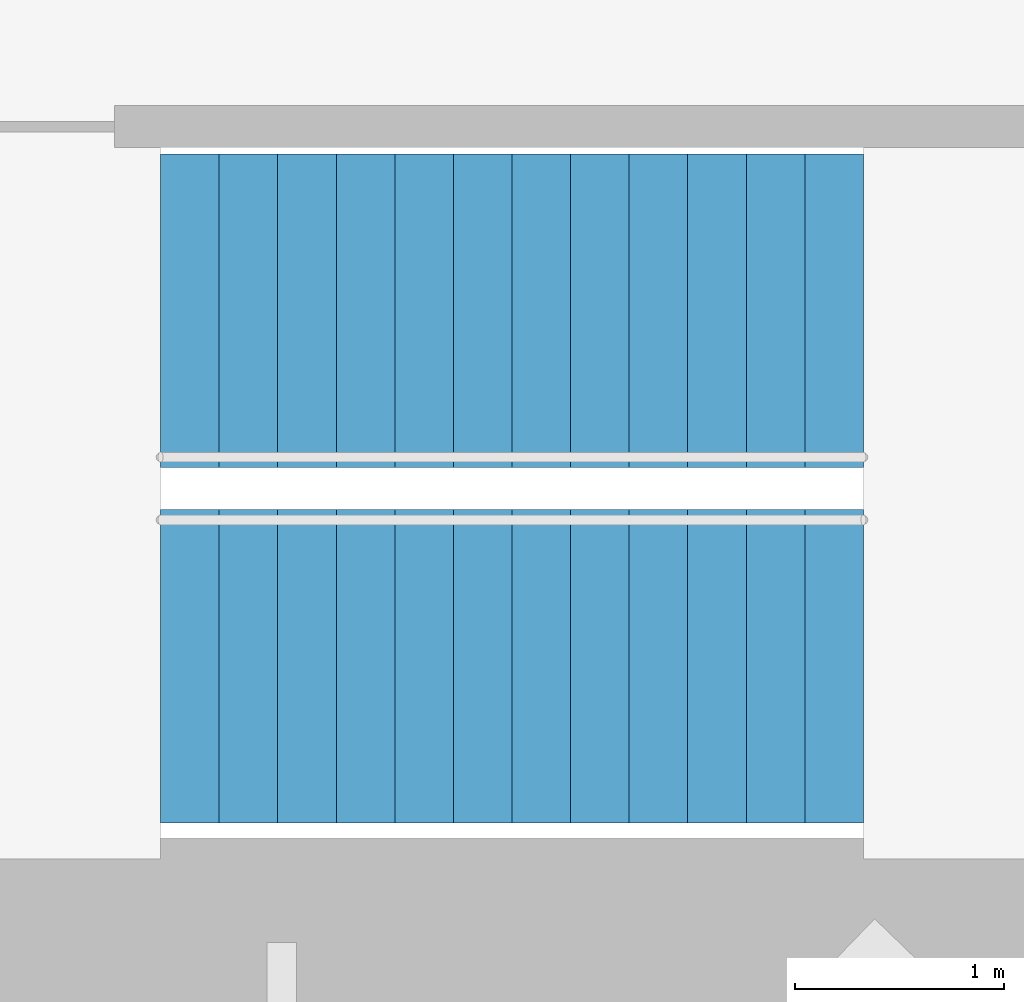
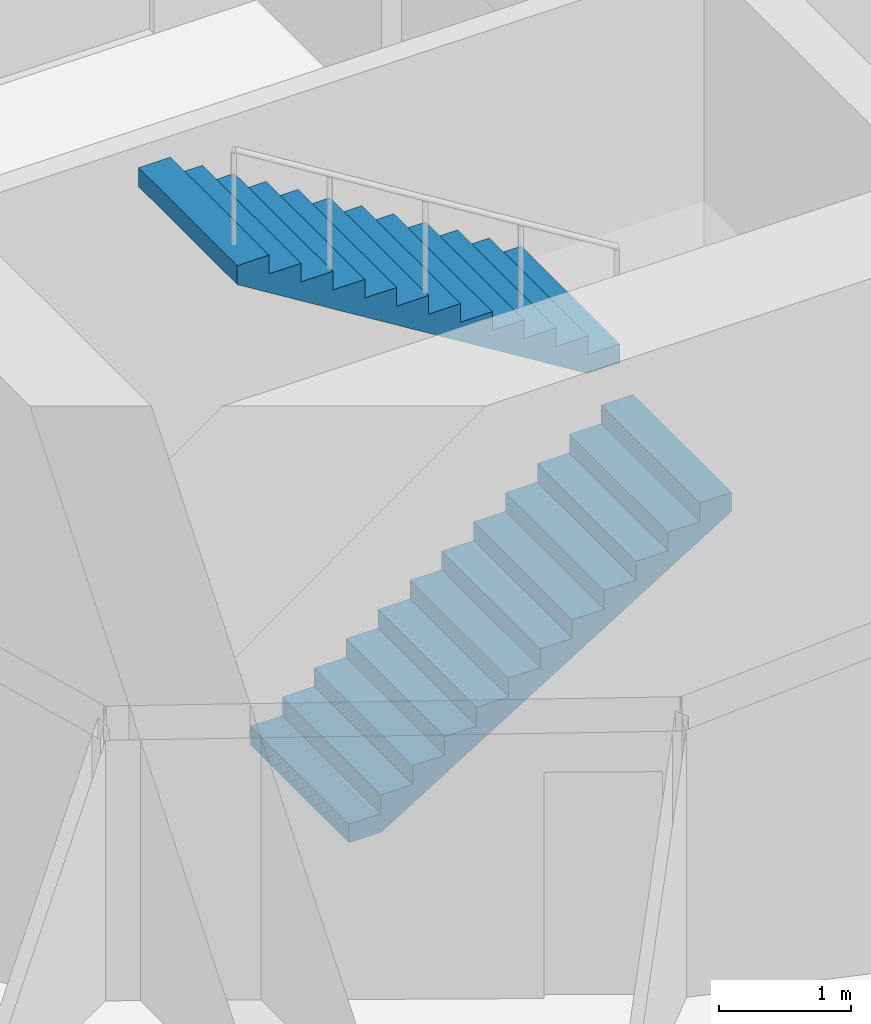
# One storey, part 14 of 17: 2 stair flights, 1 element without a shape of its own.
"""IFC4 building model written with IfcOpenShell, lengths in metres."""

from ifc_helpers import new_model, si_unit, direction, frame, origin, place, context, subcontext, project, spatial, triangles, material, type_object, element, aggregate, save


model = new_model("IFC4")

# Units and contexts
model_context = context("Model", 3, precision=1e-05, world=origin(), true_north=direction((0.0, 1.0)))
body_context = subcontext(model_context, "Body", "Model", "MODEL_VIEW")
ifc_project = project(units=[si_unit("LENGTHUNIT", "METRE"), si_unit("AREAUNIT", "SQUARE_METRE"), si_unit("VOLUMEUNIT", "CUBIC_METRE"), si_unit("PLANEANGLEUNIT", "RADIAN"), si_unit("MASSUNIT", "GRAM", prefix="KILO")], contexts=[model_context])

# Site, building, storey
site_placement = place(None, origin())
site = spatial("IfcSite", under=ifc_project, at=site_placement, CompositionType="ELEMENT")
building_placement = place(site_placement, origin())
building = spatial("IfcBuilding", under=site, at=building_placement, Name="Lantaw Convention Tower", CompositionType="ELEMENT")
storey_placement = place(building_placement, frame((0.0, 0.0, 270.39990234375)))
storey = spatial("IfcBuildingStorey", under=building, at=storey_placement, Name="L63", CompositionType="ELEMENT", Elevation=270.39990234375)

# Stair, stair flights
ifc_material = material(Name="Concrete C35/45", Category="concrete")
stair_type = type_object("IfcStairType", Name="Exit stair 1500 riser 173.08 in 2 flights", PredefinedType="HALF_TURN_STAIR", material=ifc_material)
stair_placement = place(storey_placement, origin())
stair = element("IfcStair", 1, at=stair_placement, inside=storey, type_object=stair_type, Name="Exit stair S1 L63", PredefinedType="HALF_TURN_STAIR")
stair_flight_type = type_object("IfcStairFlightType", Name="Stair flight 1500 riser 173.08", PredefinedType="STRAIGHT", material=ifc_material)
stair_flight_1_placement = place(storey_placement, frame((-10.580078125, -5.97998046875, 0.0), z_axis=(0.0, 0.0, 1.0), x_axis=(1.0, 0.0, 0.0)))
stair_flight_1 = element("IfcStairFlight", 2, at=stair_flight_1_placement, type_object=stair_flight_type, Name="S1 flight 1", NumberOfRisers=13, NumberOfTreads=12, PredefinedType="STRAIGHT", RiserHeight=0.173076923, TreadLength=0.28, context=body_context, shape_type="Tessellation", body=[
    triangles([(0.0, 0.75, 0.0), (0.0, 0.75, 0.173076923), (0.28, 0.75, 0.0), (0.28, 0.75, 0.173076923), (0.28, 0.75, 0.346153846), (0.28509853184261624, 0.75, 0.0), (0.28509853184261624, 0.75, 0.346153846), (0.56, 0.75, 0.16992535798879452), (0.56, 0.75, 0.346153846), (0.56, 0.75, 0.519230769), (0.8400000000000001, 0.75, 0.34300228098879454), (0.8400000000000001, 0.75, 0.519230769), (0.8400000000000001, 0.75, 0.692307692), (1.12, 0.75, 0.5160792039887945), (1.12, 0.75, 0.692307692), (1.12, 0.75, 0.865384615), (1.4000000000000001, 0.75, 0.6891561269887945), (1.4000000000000001, 0.75, 0.865384615), (1.4000000000000001, 0.75, 1.038461538), (1.6800000000000002, 0.75, 0.8622330499887946), (1.6800000000000002, 0.75, 1.038461538), (1.6800000000000002, 0.75, 1.211538461), (1.9600000000000002, 0.75, 1.0353099729887945), (1.9600000000000002, 0.75, 1.211538461), (1.9600000000000002, 0.75, 1.384615384), (2.24, 0.75, 1.2083868959887945), (2.24, 0.75, 1.384615384), (2.24, 0.75, 1.557692307), (2.5200000000000005, 0.75, 1.3814638189887947), (2.5200000000000005, 0.75, 1.557692307), (2.5200000000000005, 0.75, 1.73076923), (2.8000000000000003, 0.75, 1.5545407419887944), (2.8000000000000003, 0.75, 1.73076923), (2.8000000000000003, 0.75, 1.903846153), (3.08, 0.75, 1.7276176649887944), (3.08, 0.75, 1.903846153), (3.08, 0.75, 2.076923076), (3.3600000000000003, 0.75, 1.9006945879887944), (3.3600000000000003, 0.75, 2.076923076), (0.0, -0.75, 0.0), (0.0, -0.75, 0.173076923), (0.28, -0.75, 0.0), (0.28, -0.75, 0.173076923), (0.28, -0.75, 0.346153846), (0.28509853184261624, -0.75, 0.0), (0.28509853184261624, -0.75, 0.346153846), (0.56, -0.75, 0.16992535798879452), (0.56, -0.75, 0.346153846), (0.56, -0.75, 0.519230769), (0.8400000000000001, -0.75, 0.34300228098879454), (0.8400000000000001, -0.75, 0.519230769), (0.8400000000000001, -0.75, 0.692307692), (1.12, -0.75, 0.5160792039887945), (1.12, -0.75, 0.692307692), (1.12, -0.75, 0.865384615), (1.4000000000000001, -0.75, 0.6891561269887945), (1.4000000000000001, -0.75, 0.865384615), (1.4000000000000001, -0.75, 1.038461538), (1.6800000000000002, -0.75, 0.8622330499887946), (1.6800000000000002, -0.75, 1.038461538), (1.6800000000000002, -0.75, 1.211538461), (1.9600000000000002, -0.75, 1.0353099729887945), (1.9600000000000002, -0.75, 1.211538461), (1.9600000000000002, -0.75, 1.384615384), (2.24, -0.75, 1.2083868959887945), (2.24, -0.75, 1.384615384), (2.24, -0.75, 1.557692307), (2.5200000000000005, -0.75, 1.3814638189887947), (2.5200000000000005, -0.75, 1.557692307), (2.5200000000000005, -0.75, 1.73076923), (2.8000000000000003, -0.75, 1.5545407419887944), (2.8000000000000003, -0.75, 1.73076923), (2.8000000000000003, -0.75, 1.903846153), (3.08, -0.75, 1.7276176649887944), (3.08, -0.75, 1.903846153), (3.08, -0.75, 2.076923076), (3.3600000000000003, -0.75, 1.9006945879887944), (3.3600000000000003, -0.75, 2.076923076), (0.0, 0.15000000000000002, 0.173076923), (0.0, 0.15000000000000002, 0.0), (0.0, 0.0, 0.173076923), (0.0, 0.0, 0.0), (0.0, -0.15000000000000002, 0.173076923), (0.0, -0.15000000000000002, 0.0), (0.28, 0.15000000000000002, 0.346153846), (0.28, 0.15000000000000002, 0.173076923), (0.28, 0.0, 0.346153846), (0.28, 0.0, 0.173076923), (0.28, -0.15000000000000002, 0.346153846), (0.28, -0.15000000000000002, 0.173076923), (0.56, 0.15000000000000002, 0.519230769), (0.56, 0.15000000000000002, 0.346153846), (0.56, 0.0, 0.519230769), (0.56, 0.0, 0.346153846), (0.56, -0.15000000000000002, 0.519230769), (0.56, -0.15000000000000002, 0.346153846), (0.8400000000000001, 0.15000000000000002, 0.692307692), (0.8400000000000001, 0.15000000000000002, 0.519230769), (0.8400000000000001, 0.0, 0.692307692), (0.8400000000000001, 0.0, 0.519230769), (0.8400000000000001, -0.15000000000000002, 0.692307692), (0.8400000000000001, -0.15000000000000002, 0.519230769), (1.12, 0.15000000000000002, 0.865384615), (1.12, 0.15000000000000002, 0.692307692), (1.12, 0.0, 0.865384615), (1.12, 0.0, 0.692307692), (1.12, -0.15000000000000002, 0.865384615), (1.12, -0.15000000000000002, 0.692307692), (1.4000000000000001, 0.15000000000000002, 1.038461538), (1.4000000000000001, 0.15000000000000002, 0.865384615), (1.4000000000000001, 0.0, 1.038461538), (1.4000000000000001, 0.0, 0.865384615), (1.4000000000000001, -0.15000000000000002, 1.038461538), (1.4000000000000001, -0.15000000000000002, 0.865384615), (1.6800000000000002, 0.15000000000000002, 1.211538461), (1.6800000000000002, 0.15000000000000002, 1.038461538), (1.6800000000000002, 0.0, 1.211538461), (1.6800000000000002, 0.0, 1.038461538), (1.6800000000000002, -0.15000000000000002, 1.211538461), (1.6800000000000002, -0.15000000000000002, 1.038461538), (1.9600000000000002, 0.15000000000000002, 1.384615384), (1.9600000000000002, 0.15000000000000002, 1.211538461), (1.9600000000000002, 0.0, 1.384615384), (1.9600000000000002, 0.0, 1.211538461), (1.9600000000000002, -0.15000000000000002, 1.384615384), (1.9600000000000002, -0.15000000000000002, 1.211538461), (2.24, 0.15000000000000002, 1.557692307), (2.24, 0.15000000000000002, 1.384615384), (2.24, 0.0, 1.557692307), (2.24, 0.0, 1.384615384), (2.24, -0.15000000000000002, 1.557692307), (2.24, -0.15000000000000002, 1.384615384), (2.5200000000000005, 0.15000000000000002, 1.73076923), (2.5200000000000005, 0.15000000000000002, 1.557692307), (2.5200000000000005, 0.0, 1.73076923), (2.5200000000000005, 0.0, 1.557692307), (2.5200000000000005, -0.15000000000000002, 1.73076923), (2.5200000000000005, -0.15000000000000002, 1.557692307), (2.8000000000000003, 0.15000000000000002, 1.903846153), (2.8000000000000003, 0.15000000000000002, 1.73076923), (2.8000000000000003, 0.0, 1.903846153), (2.8000000000000003, 0.0, 1.73076923), (2.8000000000000003, -0.15000000000000002, 1.903846153), (2.8000000000000003, -0.15000000000000002, 1.73076923), (3.08, 0.15000000000000002, 2.076923076), (3.08, 0.15000000000000002, 1.903846153), (3.08, 0.0, 2.076923076), (3.08, 0.0, 1.903846153), (3.08, -0.15000000000000002, 2.076923076), (3.08, -0.15000000000000002, 1.903846153), (0.28509853184261624, 0.15000000000000002, 0.346153846), (0.28509853184261624, 0.0, 0.346153846), (0.28509853184261624, -0.15000000000000002, 0.346153846), (3.3600000000000003, 0.15000000000000002, 2.076923076), (3.3600000000000003, 0.0, 2.076923076), (3.3600000000000003, -0.15000000000000002, 2.076923076), (3.3600000000000003, 0.15000000000000002, 1.9006945879887942), (3.3600000000000003, 0.0, 1.9006945879887942), (3.3600000000000003, -0.15000000000000002, 1.9006945879887942), (3.08, 0.15000000000000002, 1.7276176649887944), (3.08, 0.0, 1.7276176649887944), (3.08, -0.15000000000000002, 1.7276176649887944), (2.8000000000000003, 0.15000000000000002, 1.5545407419887944), (2.8000000000000003, 0.0, 1.5545407419887944), (2.8000000000000003, -0.15000000000000002, 1.5545407419887944), (2.5200000000000005, 0.15000000000000002, 1.3814638189887947), (2.5200000000000005, 0.0, 1.3814638189887947), (2.5200000000000005, -0.15000000000000002, 1.3814638189887947), (2.24, 0.15000000000000002, 1.2083868959887945), (2.24, 0.0, 1.2083868959887945), (2.24, -0.15000000000000002, 1.2083868959887945), (1.9600000000000002, 0.15000000000000002, 1.0353099729887945), (1.9600000000000002, 0.0, 1.0353099729887945), (1.9600000000000002, -0.15000000000000002, 1.0353099729887945), (1.6800000000000002, 0.15000000000000002, 0.8622330499887946), (1.6800000000000002, 0.0, 0.8622330499887946), (1.6800000000000002, -0.15000000000000002, 0.8622330499887946), (1.4000000000000001, 0.15000000000000002, 0.6891561269887945), (1.4000000000000001, 0.0, 0.6891561269887945), (1.4000000000000001, -0.15000000000000002, 0.6891561269887945), (1.12, 0.15000000000000002, 0.5160792039887945), (1.12, 0.0, 0.5160792039887945), (1.12, -0.15000000000000002, 0.5160792039887945), (0.8400000000000001, 0.15000000000000002, 0.34300228098879454), (0.8400000000000001, 0.0, 0.34300228098879454), (0.8400000000000001, -0.15000000000000002, 0.34300228098879454), (0.56, 0.15000000000000002, 0.16992535798879452), (0.56, 0.0, 0.16992535798879452), (0.56, -0.15000000000000002, 0.16992535798879452), (0.28509853184261624, 0.15000000000000002, 0.0), (0.28509853184261624, 0.0, 0.0), (0.28509853184261624, -0.15000000000000002, 0.0), (0.28, 0.15000000000000002, 0.0), (0.28, 0.0, 0.0), (0.28, -0.15000000000000002, 0.0)], [[1, 4, 3], [1, 2, 4], [3, 4, 6], [4, 7, 6], [4, 5, 7], [6, 9, 8], [6, 7, 9], [8, 9, 11], [9, 12, 11], [9, 10, 12], [11, 12, 14], [12, 15, 14], [12, 13, 15], [14, 15, 17], [15, 18, 17], [15, 16, 18], [17, 18, 20], [18, 21, 20], [18, 19, 21], [20, 21, 23], [21, 24, 23], [21, 22, 24], [23, 24, 26], [24, 27, 26], [24, 25, 27], [26, 27, 29], [27, 30, 29], [27, 28, 30], [29, 30, 32], [30, 33, 32], [30, 31, 33], [32, 33, 35], [33, 36, 35], [33, 34, 36], [35, 36, 38], [36, 39, 38], [36, 37, 39], [40, 42, 43], [40, 43, 41], [42, 45, 43], [43, 45, 46], [43, 46, 44], [45, 47, 48], [45, 48, 46], [47, 50, 48], [48, 50, 51], [48, 51, 49], [50, 53, 51], [51, 53, 54], [51, 54, 52], [53, 56, 54], [54, 56, 57], [54, 57, 55], [56, 59, 57], [57, 59, 60], [57, 60, 58], [59, 62, 60], [60, 62, 63], [60, 63, 61], [62, 65, 63], [63, 65, 66], [63, 66, 64], [65, 68, 66], [66, 68, 69], [66, 69, 67], [68, 71, 69], [69, 71, 72], [69, 72, 70], [71, 74, 72], [72, 74, 75], [72, 75, 73], [74, 77, 75], [75, 77, 78], [75, 78, 76], [1, 79, 2], [1, 80, 79], [80, 81, 79], [80, 82, 81], [82, 83, 81], [82, 84, 83], [84, 41, 83], [84, 40, 41], [4, 85, 5], [4, 86, 85], [86, 87, 85], [86, 88, 87], [88, 89, 87], [88, 90, 89], [90, 44, 89], [90, 43, 44], [9, 91, 10], [9, 92, 91], [92, 93, 91], [92, 94, 93], [94, 95, 93], [94, 96, 95], [96, 49, 95], [96, 48, 49], [12, 97, 13], [12, 98, 97], [98, 99, 97], [98, 100, 99], [100, 101, 99], [100, 102, 101], [102, 52, 101], [102, 51, 52], [15, 103, 16], [15, 104, 103], [104, 105, 103], [104, 106, 105], [106, 107, 105], [106, 108, 107], [108, 55, 107], [108, 54, 55], [18, 109, 19], [18, 110, 109], [110, 111, 109], [110, 112, 111], [112, 113, 111], [112, 114, 113], [114, 58, 113], [114, 57, 58], [21, 115, 22], [21, 116, 115], [116, 117, 115], [116, 118, 117], [118, 119, 117], [118, 120, 119], [120, 61, 119], [120, 60, 61], [24, 121, 25], [24, 122, 121], [122, 123, 121], [122, 124, 123], [124, 125, 123], [124, 126, 125], [126, 64, 125], [126, 63, 64], [27, 127, 28], [27, 128, 127], [128, 129, 127], [128, 130, 129], [130, 131, 129], [130, 132, 131], [132, 67, 131], [132, 66, 67], [30, 133, 31], [30, 134, 133], [134, 135, 133], [134, 136, 135], [136, 137, 135], [136, 138, 137], [138, 70, 137], [138, 69, 70], [33, 139, 34], [33, 140, 139], [140, 141, 139], [140, 142, 141], [142, 143, 141], [142, 144, 143], [144, 73, 143], [144, 72, 73], [36, 145, 37], [36, 146, 145], [146, 147, 145], [146, 148, 147], [148, 149, 147], [148, 150, 149], [150, 76, 149], [150, 75, 76], [2, 86, 4], [2, 79, 86], [79, 88, 86], [79, 81, 88], [81, 90, 88], [81, 83, 90], [83, 43, 90], [83, 41, 43], [5, 151, 7], [5, 85, 151], [85, 152, 151], [85, 87, 152], [87, 153, 152], [87, 89, 153], [89, 46, 153], [89, 44, 46], [7, 92, 9], [7, 151, 92], [151, 94, 92], [151, 152, 94], [152, 96, 94], [152, 153, 96], [153, 48, 96], [153, 46, 48], [10, 98, 12], [10, 91, 98], [91, 100, 98], [91, 93, 100], [93, 102, 100], [93, 95, 102], [95, 51, 102], [95, 49, 51], [13, 104, 15], [13, 97, 104], [97, 106, 104], [97, 99, 106], [99, 108, 106], [99, 101, 108], [101, 54, 108], [101, 52, 54], [16, 110, 18], [16, 103, 110], [103, 112, 110], [103, 105, 112], [105, 114, 112], [105, 107, 114], [107, 57, 114], [107, 55, 57], [19, 116, 21], [19, 109, 116], [109, 118, 116], [109, 111, 118], [111, 120, 118], [111, 113, 120], [113, 60, 120], [113, 58, 60], [22, 122, 24], [22, 115, 122], [115, 124, 122], [115, 117, 124], [117, 126, 124], [117, 119, 126], [119, 63, 126], [119, 61, 63], [25, 128, 27], [25, 121, 128], [121, 130, 128], [121, 123, 130], [123, 132, 130], [123, 125, 132], [125, 66, 132], [125, 64, 66], [28, 134, 30], [28, 127, 134], [127, 136, 134], [127, 129, 136], [129, 138, 136], [129, 131, 138], [131, 69, 138], [131, 67, 69], [31, 140, 33], [31, 133, 140], [133, 142, 140], [133, 135, 142], [135, 144, 142], [135, 137, 144], [137, 72, 144], [137, 70, 72], [34, 146, 36], [34, 139, 146], [139, 148, 146], [139, 141, 148], [141, 150, 148], [141, 143, 150], [143, 75, 150], [143, 73, 75], [37, 154, 39], [37, 145, 154], [145, 155, 154], [145, 147, 155], [147, 156, 155], [147, 149, 156], [149, 78, 156], [149, 76, 78], [39, 157, 38], [39, 154, 157], [154, 158, 157], [154, 155, 158], [155, 159, 158], [155, 156, 159], [156, 77, 159], [156, 78, 77], [38, 160, 35], [38, 157, 160], [157, 161, 160], [157, 158, 161], [158, 162, 161], [158, 159, 162], [159, 74, 162], [159, 77, 74], [35, 163, 32], [35, 160, 163], [160, 164, 163], [160, 161, 164], [161, 165, 164], [161, 162, 165], [162, 71, 165], [162, 74, 71], [32, 166, 29], [32, 163, 166], [163, 167, 166], [163, 164, 167], [164, 168, 167], [164, 165, 168], [165, 68, 168], [165, 71, 68], [29, 169, 26], [29, 166, 169], [166, 170, 169], [166, 167, 170], [167, 171, 170], [167, 168, 171], [168, 65, 171], [168, 68, 65], [26, 172, 23], [26, 169, 172], [169, 173, 172], [169, 170, 173], [170, 174, 173], [170, 171, 174], [171, 62, 174], [171, 65, 62], [23, 175, 20], [23, 172, 175], [172, 176, 175], [172, 173, 176], [173, 177, 176], [173, 174, 177], [174, 59, 177], [174, 62, 59], [20, 178, 17], [20, 175, 178], [175, 179, 178], [175, 176, 179], [176, 180, 179], [176, 177, 180], [177, 56, 180], [177, 59, 56], [17, 181, 14], [17, 178, 181], [178, 182, 181], [178, 179, 182], [179, 183, 182], [179, 180, 183], [180, 53, 183], [180, 56, 53], [14, 184, 11], [14, 181, 184], [181, 185, 184], [181, 182, 185], [182, 186, 185], [182, 183, 186], [183, 50, 186], [183, 53, 50], [11, 187, 8], [11, 184, 187], [184, 188, 187], [184, 185, 188], [185, 189, 188], [185, 186, 189], [186, 47, 189], [186, 50, 47], [8, 190, 6], [8, 187, 190], [187, 191, 190], [187, 188, 191], [188, 192, 191], [188, 189, 192], [189, 45, 192], [189, 47, 45], [6, 193, 3], [6, 190, 193], [190, 194, 193], [190, 191, 194], [191, 195, 194], [191, 192, 195], [192, 42, 195], [192, 45, 42], [3, 80, 1], [3, 193, 80], [193, 82, 80], [193, 194, 82], [194, 84, 82], [194, 195, 84], [195, 40, 84], [195, 42, 40]], closed=True),
])
stair_flight_2_placement = place(storey_placement, frame((-7.219970703125, -4.280029296875, 2.25), z_axis=(0.0, 0.0, 1.0), x_axis=(-1.0, 0.0, 0.0)))
stair_flight_2 = element("IfcStairFlight", 3, at=stair_flight_2_placement, type_object=stair_flight_type, Name="S1 flight 2", NumberOfRisers=13, NumberOfTreads=12, PredefinedType="STRAIGHT", RiserHeight=0.173076923, TreadLength=0.28, context=body_context, shape_type="Tessellation", body=[
    triangles([(0.0, 0.75, 0.0), (0.0, 0.75, 0.173076923), (0.28, 0.75, 0.0), (0.28, 0.75, 0.173076923), (0.28, 0.75, 0.346153846), (0.28509853184261624, 0.75, 0.0), (0.28509853184261624, 0.75, 0.346153846), (0.56, 0.75, 0.16992535798879452), (0.56, 0.75, 0.346153846), (0.56, 0.75, 0.519230769), (0.8400000000000001, 0.75, 0.34300228098879454), (0.8400000000000001, 0.75, 0.519230769), (0.8400000000000001, 0.75, 0.692307692), (1.12, 0.75, 0.5160792039887945), (1.12, 0.75, 0.692307692), (1.12, 0.75, 0.865384615), (1.4000000000000001, 0.75, 0.6891561269887945), (1.4000000000000001, 0.75, 0.865384615), (1.4000000000000001, 0.75, 1.038461538), (1.6800000000000002, 0.75, 0.8622330499887946), (1.6800000000000002, 0.75, 1.038461538), (1.6800000000000002, 0.75, 1.211538461), (1.9600000000000002, 0.75, 1.0353099729887945), (1.9600000000000002, 0.75, 1.211538461), (1.9600000000000002, 0.75, 1.384615384), (2.24, 0.75, 1.2083868959887945), (2.24, 0.75, 1.384615384), (2.24, 0.75, 1.557692307), (2.5200000000000005, 0.75, 1.3814638189887947), (2.5200000000000005, 0.75, 1.557692307), (2.5200000000000005, 0.75, 1.73076923), (2.8000000000000003, 0.75, 1.5545407419887944), (2.8000000000000003, 0.75, 1.73076923), (2.8000000000000003, 0.75, 1.903846153), (3.08, 0.75, 1.7276176649887944), (3.08, 0.75, 1.903846153), (3.08, 0.75, 2.076923076), (3.3600000000000003, 0.75, 1.9006945879887944), (3.3600000000000003, 0.75, 2.076923076), (0.0, -0.75, 0.0), (0.0, -0.75, 0.173076923), (0.28, -0.75, 0.0), (0.28, -0.75, 0.173076923), (0.28, -0.75, 0.346153846), (0.28509853184261624, -0.75, 0.0), (0.28509853184261624, -0.75, 0.346153846), (0.56, -0.75, 0.16992535798879452), (0.56, -0.75, 0.346153846), (0.56, -0.75, 0.519230769), (0.8400000000000001, -0.75, 0.34300228098879454), (0.8400000000000001, -0.75, 0.519230769), (0.8400000000000001, -0.75, 0.692307692), (1.12, -0.75, 0.5160792039887945), (1.12, -0.75, 0.692307692), (1.12, -0.75, 0.865384615), (1.4000000000000001, -0.75, 0.6891561269887945), (1.4000000000000001, -0.75, 0.865384615), (1.4000000000000001, -0.75, 1.038461538), (1.6800000000000002, -0.75, 0.8622330499887946), (1.6800000000000002, -0.75, 1.038461538), (1.6800000000000002, -0.75, 1.211538461), (1.9600000000000002, -0.75, 1.0353099729887945), (1.9600000000000002, -0.75, 1.211538461), (1.9600000000000002, -0.75, 1.384615384), (2.24, -0.75, 1.2083868959887945), (2.24, -0.75, 1.384615384), (2.24, -0.75, 1.557692307), (2.5200000000000005, -0.75, 1.3814638189887947), (2.5200000000000005, -0.75, 1.557692307), (2.5200000000000005, -0.75, 1.73076923), (2.8000000000000003, -0.75, 1.5545407419887944), (2.8000000000000003, -0.75, 1.73076923), (2.8000000000000003, -0.75, 1.903846153), (3.08, -0.75, 1.7276176649887944), (3.08, -0.75, 1.903846153), (3.08, -0.75, 2.076923076), (3.3600000000000003, -0.75, 1.9006945879887944), (3.3600000000000003, -0.75, 2.076923076), (0.0, 0.15000000000000002, 0.173076923), (0.0, 0.15000000000000002, 0.0), (0.0, 0.0, 0.173076923), (0.0, 0.0, 0.0), (0.0, -0.15000000000000002, 0.173076923), (0.0, -0.15000000000000002, 0.0), (0.28, 0.15000000000000002, 0.346153846), (0.28, 0.15000000000000002, 0.173076923), (0.28, 0.0, 0.346153846), (0.28, 0.0, 0.173076923), (0.28, -0.15000000000000002, 0.346153846), (0.28, -0.15000000000000002, 0.173076923), (0.56, 0.15000000000000002, 0.519230769), (0.56, 0.15000000000000002, 0.346153846), (0.56, 0.0, 0.519230769), (0.56, 0.0, 0.346153846), (0.56, -0.15000000000000002, 0.519230769), (0.56, -0.15000000000000002, 0.346153846), (0.8400000000000001, 0.15000000000000002, 0.692307692), (0.8400000000000001, 0.15000000000000002, 0.519230769), (0.8400000000000001, 0.0, 0.692307692), (0.8400000000000001, 0.0, 0.519230769), (0.8400000000000001, -0.15000000000000002, 0.692307692), (0.8400000000000001, -0.15000000000000002, 0.519230769), (1.12, 0.15000000000000002, 0.865384615), (1.12, 0.15000000000000002, 0.692307692), (1.12, 0.0, 0.865384615), (1.12, 0.0, 0.692307692), (1.12, -0.15000000000000002, 0.865384615), (1.12, -0.15000000000000002, 0.692307692), (1.4000000000000001, 0.15000000000000002, 1.038461538), (1.4000000000000001, 0.15000000000000002, 0.865384615), (1.4000000000000001, 0.0, 1.038461538), (1.4000000000000001, 0.0, 0.865384615), (1.4000000000000001, -0.15000000000000002, 1.038461538), (1.4000000000000001, -0.15000000000000002, 0.865384615), (1.6800000000000002, 0.15000000000000002, 1.211538461), (1.6800000000000002, 0.15000000000000002, 1.038461538), (1.6800000000000002, 0.0, 1.211538461), (1.6800000000000002, 0.0, 1.038461538), (1.6800000000000002, -0.15000000000000002, 1.211538461), (1.6800000000000002, -0.15000000000000002, 1.038461538), (1.9600000000000002, 0.15000000000000002, 1.384615384), (1.9600000000000002, 0.15000000000000002, 1.211538461), (1.9600000000000002, 0.0, 1.384615384), (1.9600000000000002, 0.0, 1.211538461), (1.9600000000000002, -0.15000000000000002, 1.384615384), (1.9600000000000002, -0.15000000000000002, 1.211538461), (2.24, 0.15000000000000002, 1.557692307), (2.24, 0.15000000000000002, 1.384615384), (2.24, 0.0, 1.557692307), (2.24, 0.0, 1.384615384), (2.24, -0.15000000000000002, 1.557692307), (2.24, -0.15000000000000002, 1.384615384), (2.5200000000000005, 0.15000000000000002, 1.73076923), (2.5200000000000005, 0.15000000000000002, 1.557692307), (2.5200000000000005, 0.0, 1.73076923), (2.5200000000000005, 0.0, 1.557692307), (2.5200000000000005, -0.15000000000000002, 1.73076923), (2.5200000000000005, -0.15000000000000002, 1.557692307), (2.8000000000000003, 0.15000000000000002, 1.903846153), (2.8000000000000003, 0.15000000000000002, 1.73076923), (2.8000000000000003, 0.0, 1.903846153), (2.8000000000000003, 0.0, 1.73076923), (2.8000000000000003, -0.15000000000000002, 1.903846153), (2.8000000000000003, -0.15000000000000002, 1.73076923), (3.08, 0.15000000000000002, 2.076923076), (3.08, 0.15000000000000002, 1.903846153), (3.08, 0.0, 2.076923076), (3.08, 0.0, 1.903846153), (3.08, -0.15000000000000002, 2.076923076), (3.08, -0.15000000000000002, 1.903846153), (0.28509853184261624, 0.15000000000000002, 0.346153846), (0.28509853184261624, 0.0, 0.346153846), (0.28509853184261624, -0.15000000000000002, 0.346153846), (3.3600000000000003, 0.15000000000000002, 2.076923076), (3.3600000000000003, 0.0, 2.076923076), (3.3600000000000003, -0.15000000000000002, 2.076923076), (3.3600000000000003, 0.15000000000000002, 1.9006945879887942), (3.3600000000000003, 0.0, 1.9006945879887942), (3.3600000000000003, -0.15000000000000002, 1.9006945879887942), (3.08, 0.15000000000000002, 1.7276176649887944), (3.08, 0.0, 1.7276176649887944), (3.08, -0.15000000000000002, 1.7276176649887944), (2.8000000000000003, 0.15000000000000002, 1.5545407419887944), (2.8000000000000003, 0.0, 1.5545407419887944), (2.8000000000000003, -0.15000000000000002, 1.5545407419887944), (2.5200000000000005, 0.15000000000000002, 1.3814638189887947), (2.5200000000000005, 0.0, 1.3814638189887947), (2.5200000000000005, -0.15000000000000002, 1.3814638189887947), (2.24, 0.15000000000000002, 1.2083868959887945), (2.24, 0.0, 1.2083868959887945), (2.24, -0.15000000000000002, 1.2083868959887945), (1.9600000000000002, 0.15000000000000002, 1.0353099729887945), (1.9600000000000002, 0.0, 1.0353099729887945), (1.9600000000000002, -0.15000000000000002, 1.0353099729887945), (1.6800000000000002, 0.15000000000000002, 0.8622330499887946), (1.6800000000000002, 0.0, 0.8622330499887946), (1.6800000000000002, -0.15000000000000002, 0.8622330499887946), (1.4000000000000001, 0.15000000000000002, 0.6891561269887945), (1.4000000000000001, 0.0, 0.6891561269887945), (1.4000000000000001, -0.15000000000000002, 0.6891561269887945), (1.12, 0.15000000000000002, 0.5160792039887945), (1.12, 0.0, 0.5160792039887945), (1.12, -0.15000000000000002, 0.5160792039887945), (0.8400000000000001, 0.15000000000000002, 0.34300228098879454), (0.8400000000000001, 0.0, 0.34300228098879454), (0.8400000000000001, -0.15000000000000002, 0.34300228098879454), (0.56, 0.15000000000000002, 0.16992535798879452), (0.56, 0.0, 0.16992535798879452), (0.56, -0.15000000000000002, 0.16992535798879452), (0.28509853184261624, 0.15000000000000002, 0.0), (0.28509853184261624, 0.0, 0.0), (0.28509853184261624, -0.15000000000000002, 0.0), (0.28, 0.15000000000000002, 0.0), (0.28, 0.0, 0.0), (0.28, -0.15000000000000002, 0.0)], [[1, 4, 3], [1, 2, 4], [3, 4, 6], [4, 7, 6], [4, 5, 7], [6, 9, 8], [6, 7, 9], [8, 9, 11], [9, 12, 11], [9, 10, 12], [11, 12, 14], [12, 15, 14], [12, 13, 15], [14, 15, 17], [15, 18, 17], [15, 16, 18], [17, 18, 20], [18, 21, 20], [18, 19, 21], [20, 21, 23], [21, 24, 23], [21, 22, 24], [23, 24, 26], [24, 27, 26], [24, 25, 27], [26, 27, 29], [27, 30, 29], [27, 28, 30], [29, 30, 32], [30, 33, 32], [30, 31, 33], [32, 33, 35], [33, 36, 35], [33, 34, 36], [35, 36, 38], [36, 39, 38], [36, 37, 39], [40, 42, 43], [40, 43, 41], [42, 45, 43], [43, 45, 46], [43, 46, 44], [45, 47, 48], [45, 48, 46], [47, 50, 48], [48, 50, 51], [48, 51, 49], [50, 53, 51], [51, 53, 54], [51, 54, 52], [53, 56, 54], [54, 56, 57], [54, 57, 55], [56, 59, 57], [57, 59, 60], [57, 60, 58], [59, 62, 60], [60, 62, 63], [60, 63, 61], [62, 65, 63], [63, 65, 66], [63, 66, 64], [65, 68, 66], [66, 68, 69], [66, 69, 67], [68, 71, 69], [69, 71, 72], [69, 72, 70], [71, 74, 72], [72, 74, 75], [72, 75, 73], [74, 77, 75], [75, 77, 78], [75, 78, 76], [1, 79, 2], [1, 80, 79], [80, 81, 79], [80, 82, 81], [82, 83, 81], [82, 84, 83], [84, 41, 83], [84, 40, 41], [4, 85, 5], [4, 86, 85], [86, 87, 85], [86, 88, 87], [88, 89, 87], [88, 90, 89], [90, 44, 89], [90, 43, 44], [9, 91, 10], [9, 92, 91], [92, 93, 91], [92, 94, 93], [94, 95, 93], [94, 96, 95], [96, 49, 95], [96, 48, 49], [12, 97, 13], [12, 98, 97], [98, 99, 97], [98, 100, 99], [100, 101, 99], [100, 102, 101], [102, 52, 101], [102, 51, 52], [15, 103, 16], [15, 104, 103], [104, 105, 103], [104, 106, 105], [106, 107, 105], [106, 108, 107], [108, 55, 107], [108, 54, 55], [18, 109, 19], [18, 110, 109], [110, 111, 109], [110, 112, 111], [112, 113, 111], [112, 114, 113], [114, 58, 113], [114, 57, 58], [21, 115, 22], [21, 116, 115], [116, 117, 115], [116, 118, 117], [118, 119, 117], [118, 120, 119], [120, 61, 119], [120, 60, 61], [24, 121, 25], [24, 122, 121], [122, 123, 121], [122, 124, 123], [124, 125, 123], [124, 126, 125], [126, 64, 125], [126, 63, 64], [27, 127, 28], [27, 128, 127], [128, 129, 127], [128, 130, 129], [130, 131, 129], [130, 132, 131], [132, 67, 131], [132, 66, 67], [30, 133, 31], [30, 134, 133], [134, 135, 133], [134, 136, 135], [136, 137, 135], [136, 138, 137], [138, 70, 137], [138, 69, 70], [33, 139, 34], [33, 140, 139], [140, 141, 139], [140, 142, 141], [142, 143, 141], [142, 144, 143], [144, 73, 143], [144, 72, 73], [36, 145, 37], [36, 146, 145], [146, 147, 145], [146, 148, 147], [148, 149, 147], [148, 150, 149], [150, 76, 149], [150, 75, 76], [2, 86, 4], [2, 79, 86], [79, 88, 86], [79, 81, 88], [81, 90, 88], [81, 83, 90], [83, 43, 90], [83, 41, 43], [5, 151, 7], [5, 85, 151], [85, 152, 151], [85, 87, 152], [87, 153, 152], [87, 89, 153], [89, 46, 153], [89, 44, 46], [7, 92, 9], [7, 151, 92], [151, 94, 92], [151, 152, 94], [152, 96, 94], [152, 153, 96], [153, 48, 96], [153, 46, 48], [10, 98, 12], [10, 91, 98], [91, 100, 98], [91, 93, 100], [93, 102, 100], [93, 95, 102], [95, 51, 102], [95, 49, 51], [13, 104, 15], [13, 97, 104], [97, 106, 104], [97, 99, 106], [99, 108, 106], [99, 101, 108], [101, 54, 108], [101, 52, 54], [16, 110, 18], [16, 103, 110], [103, 112, 110], [103, 105, 112], [105, 114, 112], [105, 107, 114], [107, 57, 114], [107, 55, 57], [19, 116, 21], [19, 109, 116], [109, 118, 116], [109, 111, 118], [111, 120, 118], [111, 113, 120], [113, 60, 120], [113, 58, 60], [22, 122, 24], [22, 115, 122], [115, 124, 122], [115, 117, 124], [117, 126, 124], [117, 119, 126], [119, 63, 126], [119, 61, 63], [25, 128, 27], [25, 121, 128], [121, 130, 128], [121, 123, 130], [123, 132, 130], [123, 125, 132], [125, 66, 132], [125, 64, 66], [28, 134, 30], [28, 127, 134], [127, 136, 134], [127, 129, 136], [129, 138, 136], [129, 131, 138], [131, 69, 138], [131, 67, 69], [31, 140, 33], [31, 133, 140], [133, 142, 140], [133, 135, 142], [135, 144, 142], [135, 137, 144], [137, 72, 144], [137, 70, 72], [34, 146, 36], [34, 139, 146], [139, 148, 146], [139, 141, 148], [141, 150, 148], [141, 143, 150], [143, 75, 150], [143, 73, 75], [37, 154, 39], [37, 145, 154], [145, 155, 154], [145, 147, 155], [147, 156, 155], [147, 149, 156], [149, 78, 156], [149, 76, 78], [39, 157, 38], [39, 154, 157], [154, 158, 157], [154, 155, 158], [155, 159, 158], [155, 156, 159], [156, 77, 159], [156, 78, 77], [38, 160, 35], [38, 157, 160], [157, 161, 160], [157, 158, 161], [158, 162, 161], [158, 159, 162], [159, 74, 162], [159, 77, 74], [35, 163, 32], [35, 160, 163], [160, 164, 163], [160, 161, 164], [161, 165, 164], [161, 162, 165], [162, 71, 165], [162, 74, 71], [32, 166, 29], [32, 163, 166], [163, 167, 166], [163, 164, 167], [164, 168, 167], [164, 165, 168], [165, 68, 168], [165, 71, 68], [29, 169, 26], [29, 166, 169], [166, 170, 169], [166, 167, 170], [167, 171, 170], [167, 168, 171], [168, 65, 171], [168, 68, 65], [26, 172, 23], [26, 169, 172], [169, 173, 172], [169, 170, 173], [170, 174, 173], [170, 171, 174], [171, 62, 174], [171, 65, 62], [23, 175, 20], [23, 172, 175], [172, 176, 175], [172, 173, 176], [173, 177, 176], [173, 174, 177], [174, 59, 177], [174, 62, 59], [20, 178, 17], [20, 175, 178], [175, 179, 178], [175, 176, 179], [176, 180, 179], [176, 177, 180], [177, 56, 180], [177, 59, 56], [17, 181, 14], [17, 178, 181], [178, 182, 181], [178, 179, 182], [179, 183, 182], [179, 180, 183], [180, 53, 183], [180, 56, 53], [14, 184, 11], [14, 181, 184], [181, 185, 184], [181, 182, 185], [182, 186, 185], [182, 183, 186], [183, 50, 186], [183, 53, 50], [11, 187, 8], [11, 184, 187], [184, 188, 187], [184, 185, 188], [185, 189, 188], [185, 186, 189], [186, 47, 189], [186, 50, 47], [8, 190, 6], [8, 187, 190], [187, 191, 190], [187, 188, 191], [188, 192, 191], [188, 189, 192], [189, 45, 192], [189, 47, 45], [6, 193, 3], [6, 190, 193], [190, 194, 193], [190, 191, 194], [191, 195, 194], [191, 192, 195], [192, 42, 195], [192, 45, 42], [3, 80, 1], [3, 193, 80], [193, 82, 80], [193, 194, 82], [194, 84, 82], [194, 195, 84], [195, 40, 84], [195, 42, 40]], closed=True),
])
aggregate(stair, [stair_flight_1, stair_flight_2])

save(model, "model.ifc")
